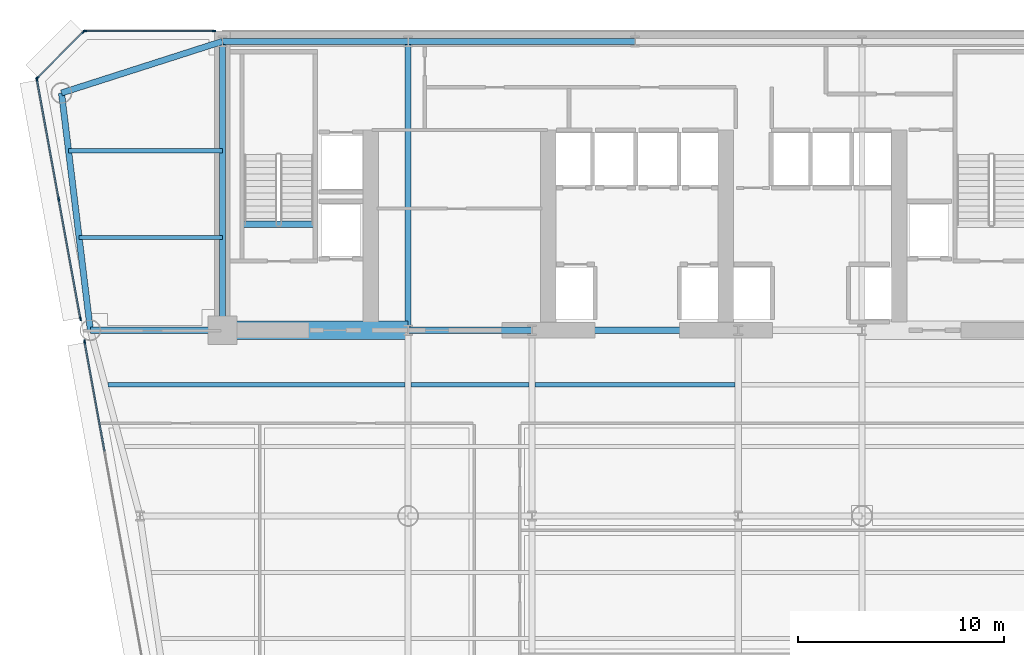
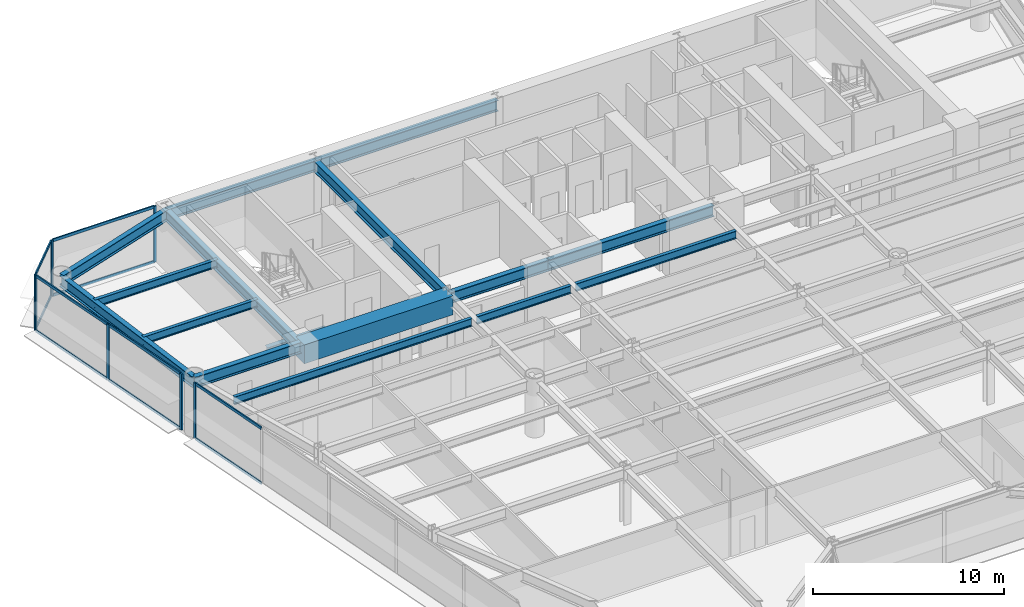
# One storey, part 5 of 14: 18 members, 16 beams, 4 elements without a shape of their own.
"""IFC4 building model written with IfcOpenShell, lengths in metres."""

import ifcopenshell
import ifcopenshell.guid

model = None  # the IFC model being written
_history = None  # IfcOwnerHistory: only IFC2X3 demands one
_inside = {}  # id of a spatial element -> (the spatial element, [elements in it])
_under = {}  # id of a project, library or spatial element -> (it, [spatial elements below it])
_declared = {}  # id of a project -> (the project, [libraries it declares])
_typed = {}  # id of a type object -> (the type object, [elements of that type])
_made_of = {}  # id of a material, layer set ... -> (it, [elements and type objects made of it])


def new_model(schema):
    """Start an empty IFC model of exactly this schema.

    Asked for "IFC4X3", IfcOpenShell would pick the latest addendum, in which some entities
    have other attributes; the version numbers below select the first issue.
    IFC2X3 requires an IfcOwnerHistory on every rooted entity: one is made here for all.
    """
    global model, _history
    if schema == "IFC4X3":
        model = ifcopenshell.file(schema_version=(4, 3, 0, 0))
    else:
        model = ifcopenshell.file(schema=schema)
    _inside.clear()
    _under.clear()
    _declared.clear()
    _typed.clear()
    _made_of.clear()
    _history = None
    if model.schema == "IFC2X3":
        org = make("IfcOrganization", Name="unknown")
        user = make(
            "IfcPersonAndOrganization",
            ThePerson=make("IfcPerson", FamilyName="unknown"),
            TheOrganization=org,
        )
        app = make(
            "IfcApplication",
            ApplicationDeveloper=org,
            Version="unknown",
            ApplicationFullName="unknown",
            ApplicationIdentifier="unknown",
        )
        _history = make(
            "IfcOwnerHistory",
            OwningUser=user,
            OwningApplication=app,
            ChangeAction="ADDED",
            CreationDate=0,
        )
    return model


def make(cls, **values):
    """One entity of the class cls with the attributes given. An attribute that is None is left unset."""
    return model.create_entity(
        cls, **{name: value for name, value in values.items() if value is not None}
    )


def rooted(cls, **values):
    """An entity with a GlobalId (a new one), such as an element, a storey or a relation."""
    return make(cls, GlobalId=ifcopenshell.guid.new(), OwnerHistory=_history, **values)


def si_unit(unit_type, name, prefix=None):
    """IfcSIUnit, for example si_unit("LENGTHUNIT", "METRE", prefix="MILLI")."""
    return make("IfcSIUnit", UnitType=unit_type, Prefix=prefix, Name=name)


def assignment(units):
    """IfcUnitAssignment: the units of a project."""
    return None if units is None else make("IfcUnitAssignment", Units=units)


def point(xyz):
    """IfcCartesianPoint."""
    return None if xyz is None else make("IfcCartesianPoint", Coordinates=xyz)


def direction(xyz):
    """IfcDirection."""
    return None if xyz is None else make("IfcDirection", DirectionRatios=xyz)


def frame(location, z_axis=None, x_axis=None):
    """IfcAxis2Placement3D, a coordinate frame: its origin and axes. An axis left out is left unset."""
    return make(
        "IfcAxis2Placement3D",
        Location=point(location),
        Axis=direction(z_axis),
        RefDirection=direction(x_axis),
    )


def frame_2d(location, x_axis=None):
    """IfcAxis2Placement2D, a coordinate frame in the plane: its origin and x axis."""
    return make(
        "IfcAxis2Placement2D", Location=point(location), RefDirection=direction(x_axis)
    )


def origin():
    """The frame at (0, 0, 0) with its axes left unset."""
    return frame((0.0, 0.0, 0.0))


def origin_2d():
    """The frame at (0, 0) in the plane with its x axis left unset."""
    return frame_2d((0.0, 0.0))


def place(relative_to, where):
    """IfcLocalPlacement: puts the frame where relative to a parent placement (None: the world)."""
    return make(
        "IfcLocalPlacement", PlacementRelTo=relative_to, RelativePlacement=where
    )


def context(
    kind, dimensions, precision=None, world=None, true_north=None, identifier=None
):
    """IfcGeometricRepresentationContext, for example the 3D "Model" context."""
    return make(
        "IfcGeometricRepresentationContext",
        ContextIdentifier=identifier,
        ContextType=kind,
        CoordinateSpaceDimension=dimensions,
        Precision=precision,
        WorldCoordinateSystem=world,
        TrueNorth=true_north,
    )


def subcontext(parent, identifier, kind, view, scale=None):
    """IfcGeometricRepresentationSubContext, for example "Body" below "Model"."""
    return make(
        "IfcGeometricRepresentationSubContext",
        ContextIdentifier=identifier,
        ContextType=kind,
        ParentContext=parent,
        TargetScale=scale,
        TargetView=view,
    )


def project(units=None, contexts=None):
    """IfcProject with its units and contexts."""
    return rooted(
        "IfcProject",
        Name="project",
        RepresentationContexts=contexts,
        UnitsInContext=assignment(units),
    )


def spatial(cls, under=None, at=None, **own):
    """A site, building, storey or space (cls), placed at a placement, below another one or the project."""
    s = rooted(cls, ObjectPlacement=at, **own)
    if under is not None:
        _under.setdefault(under.id(), (under, []))[1].append(s)
    return s


def profile(cls, at=None, kind="AREA", **sizes):
    """A parametric profile (cls). Its sizes go by their IFC names, for example OverallWidth=200.0."""
    return make(cls, ProfileType=kind, Position=at, **sizes)


def rectangle(**sizes):
    """IfcRectangleProfileDef."""
    return profile("IfcRectangleProfileDef", **sizes)


def i_section(**sizes):
    """IfcIShapeProfileDef."""
    return profile("IfcIShapeProfileDef", **sizes)


def extrude(swept, where, along, depth):
    """IfcExtrudedAreaSolid: the profile swept, set in the frame where, extruded along a direction by depth."""
    return make(
        "IfcExtrudedAreaSolid",
        SweptArea=swept,
        Position=where,
        ExtrudedDirection=direction(along),
        Depth=depth,
    )


def shape(context_of_items, identifier, shape_type, items):
    """IfcShapeRepresentation: the items that make up one representation, for example the "Body"."""
    return make(
        "IfcShapeRepresentation",
        ContextOfItems=context_of_items,
        RepresentationIdentifier=identifier,
        RepresentationType=shape_type,
        Items=items,
    )


def source(mapping_origin, context_of_items, identifier, shape_type, items):
    """IfcRepresentationMap: a shape defined once, which mapped items show again and again."""
    return make(
        "IfcRepresentationMap",
        MappingOrigin=mapping_origin,
        MappedRepresentation=shape(context_of_items, identifier, shape_type, items),
    )


def transform(
    local_origin,
    x_axis=None,
    y_axis=None,
    z_axis=None,
    scale=None,
    scale2=None,
    scale3=None,
    uniform=True,
):
    """IfcCartesianTransformationOperator3D, or its non-uniform kind. x_axis, y_axis, z_axis: its Axis1, 2, 3."""
    if uniform:
        return make(
            "IfcCartesianTransformationOperator3D",
            Axis1=direction(x_axis),
            Axis2=direction(y_axis),
            LocalOrigin=point(local_origin),
            Scale=scale,
            Axis3=direction(z_axis),
        )
    return make(
        "IfcCartesianTransformationOperator3DnonUniform",
        Axis1=direction(x_axis),
        Axis2=direction(y_axis),
        LocalOrigin=point(local_origin),
        Scale=scale,
        Axis3=direction(z_axis),
        Scale2=scale2,
        Scale3=scale3,
    )


def mapped(mapping_source, mapping_target):
    """IfcMappedItem: shows the shape of a source again, moved by a transform."""
    return make(
        "IfcMappedItem", MappingSource=mapping_source, MappingTarget=mapping_target
    )


def material(Name=None, Category=None):
    """IfcMaterial."""
    return make("IfcMaterial", Name=Name, Category=Category)


def layer(
    of_material, thickness, ventilated=None, Name=None, Category=None, Priority=None
):
    """IfcMaterialLayer: one layer of a wall or slab, of a material (None: an air gap)."""
    return make(
        "IfcMaterialLayer",
        Material=of_material,
        LayerThickness=thickness,
        IsVentilated=ventilated,
        Name=Name,
        Category=Category,
        Priority=Priority,
    )


def layer_set(layers, Name=None):
    """IfcMaterialLayerSet."""
    return make("IfcMaterialLayerSet", MaterialLayers=layers, LayerSetName=Name)


def material_profile(
    of_material, cross_section, Name=None, Category=None, Priority=None
):
    """IfcMaterialProfile: a cross section and its material."""
    return make(
        "IfcMaterialProfile",
        Name=Name,
        Material=of_material,
        Profile=cross_section,
        Priority=Priority,
        Category=Category,
    )


def profile_set(profiles, Name=None, composite=None):
    """IfcMaterialProfileSet."""
    return make(
        "IfcMaterialProfileSet",
        Name=Name,
        MaterialProfiles=profiles,
        CompositeProfile=composite,
    )


def made_of(thing, what):
    """Note that an element or type object is made of a material, layer set ...; save() writes the relation."""
    if what is not None:
        _made_of.setdefault(what.id(), (what, []))[1].append(thing)
    return thing


def type_object(cls, material=None, **own):
    """A type object (cls), such as IfcWallType, which elements share."""
    return made_of(rooted(cls, **own), material)


def element(
    cls,
    number,
    at=None,
    inside=None,
    cuts=None,
    type_object=None,
    material=None,
    context=None,
    identifier="Body",
    shape_type=None,
    held_by="IfcProductDefinitionShape",
    body=None,
    shapes=None,
    **own,
):
    """One element of the class cls, such as IfcWall. Its Tag is "e" and its number.

    at: its placement. inside: the storey or other place that contains it. cuts: it is an
    opening in that element (IfcRelVoidsElement). A single representation is given by context,
    identifier, shape_type and body (its items); several are given by shapes. held_by: the class
    of the entity that holds the representations. save() writes the other relations.
    """
    e = rooted(cls, Tag="e%d" % number, ObjectPlacement=at, **own)
    if body is not None:
        shapes = [shape(context, identifier, shape_type, body)]
    if shapes is not None:
        e.Representation = make(held_by, Representations=shapes)
    if inside is not None:
        _inside.setdefault(inside.id(), (inside, []))[1].append(e)
    if cuts is not None:
        rooted(
            "IfcRelVoidsElement", RelatingBuildingElement=cuts, RelatedOpeningElement=e
        )
    if type_object is not None:
        _typed.setdefault(type_object.id(), (type_object, []))[1].append(e)
    return made_of(e, material)


def aggregate(whole, parts):
    """IfcRelAggregates: a whole, such as a stair, and the parts it consists of."""
    return rooted("IfcRelAggregates", RelatingObject=whole, RelatedObjects=parts)


def save(model, path):
    """Write the relations noted so far, then the file.

    IfcRelAggregates (storeys below a building ...), IfcRelContainedInSpatialStructure (elements
    in a storey), IfcRelDefinesByType, IfcRelAssociatesMaterial and IfcRelDeclares: one each for
    every whole, place, type object, material and project.
    """
    for whole, parts in _under.values():
        aggregate(whole, parts)
    for where, things in _inside.values():
        rooted(
            "IfcRelContainedInSpatialStructure",
            RelatedElements=things,
            RelatingStructure=where,
        )
    for kind, things in _typed.values():
        rooted("IfcRelDefinesByType", RelatedObjects=things, RelatingType=kind)
    for what, things in _made_of.values():
        rooted("IfcRelAssociatesMaterial", RelatedObjects=things, RelatingMaterial=what)
    for by, libraries in _declared.values():
        rooted("IfcRelDeclares", RelatingContext=by, RelatedDefinitions=libraries)
    model.write(path)


model = new_model("IFC4")

# Units and contexts
model_context = context("Model", 3, precision=1e-05, world=origin(), true_north=direction((0.0, 1.0)))
body_context = subcontext(model_context, "Body", "Model", "MODEL_VIEW")
ifc_project = project(units=[si_unit("LENGTHUNIT", "METRE"), si_unit("AREAUNIT", "SQUARE_METRE"), si_unit("VOLUMEUNIT", "CUBIC_METRE"), si_unit("PLANEANGLEUNIT", "RADIAN"), si_unit("MASSUNIT", "GRAM", prefix="KILO")], contexts=[model_context])

# Site, building, storey
site_placement = place(None, origin())
site = spatial("IfcSite", under=ifc_project, at=site_placement, CompositionType="ELEMENT")
building_placement = place(site_placement, origin())
building = spatial("IfcBuilding", under=site, at=building_placement, Name="Vaeldorn Concourse Tower", CompositionType="ELEMENT")
storey_placement = place(building_placement, frame((0.0, 0.0, 122.39990234375)))
storey = spatial("IfcBuildingStorey", under=building, at=storey_placement, Name="L31", CompositionType="ELEMENT", Elevation=122.39990234375)

# Beams
ifc_material_1 = material(Name="Concrete C60/75", Category="concrete")
ifc_material_profile_1 = material_profile(ifc_material_1, rectangle(XDim=0.89990234375, YDim=1.199951171875, at=origin_2d()), Name="RC 900x1200")
ifc_profile_set_1 = profile_set([ifc_material_profile_1], Name="Concrete C60/75")
beam_type_1 = type_object("IfcBeamType", Name="BM-CB-RC900", PredefinedType="BEAM", material=ifc_profile_set_1)
shared_shape_1 = source(origin(), body_context, "Body", "SweptSolid", [
    extrude(rectangle(XDim=0.89990234375, YDim=1.199951171875, at=origin_2d()), origin(), (0.0, 0.0, 1.0), 9.0),
])
beam_1_placement = place(storey_placement, frame((14.0, 36.5, 2.97998046875), z_axis=(1.0, 0.0, 0.0), x_axis=(0.0, 1.0, 0.0)))
element("IfcBeam", 1, at=beam_1_placement, inside=storey, type_object=beam_type_1, Name="Core Coupling Beam L31-1", PredefinedType="BEAM", context=body_context, shape_type="MappedRepresentation", body=[
    mapped(shared_shape_1, transform((0.0, 0.0, 0.0), scale=1.0)),
])
ifc_material_2 = material(Name="Steel S355", Category="steel")
ifc_material_profile_2 = material_profile(ifc_material_2, i_section(OverallWidth=0.300048828125, OverallDepth=0.340087890625, WebThickness=0.011962890625, FlangeThickness=0.021484375, FilletRadius=0.027099609375, at=origin_2d()), Name="HEB 340")
ifc_profile_set_2 = profile_set([ifc_material_profile_2], Name="Steel S355")
beam_type_2 = type_object("IfcBeamType", Name="BM-ST-TRIM", PredefinedType="BEAM", material=ifc_profile_set_2)
shared_shape_2 = source(origin(), body_context, "Body", "SweptSolid", [
    extrude(i_section(OverallWidth=0.300048828125, OverallDepth=0.340087890625, WebThickness=0.011962890625, FlangeThickness=0.021484375, FilletRadius=0.027099609375, at=origin_2d()), origin(), (0.0, 0.0, 1.0), 3.590087890625),
])
beam_2_placement = place(storey_placement, frame((14.929931640625, 41.639892578125, -0.389892578125), z_axis=(1.0, 0.0, 0.0), x_axis=(0.0, 1.0, 0.0)))
element("IfcBeam", 2, at=beam_2_placement, inside=storey, type_object=beam_type_2, Name="Stair Landing Trimmer Beam ST-1 L31", PredefinedType="BEAM", context=body_context, shape_type="MappedRepresentation", body=[
    mapped(shared_shape_2, transform((0.0, 0.0, 0.0), scale=1.0)),
])
ifc_material_profile_3 = material_profile(ifc_material_2, i_section(OverallWidth=0.199951171875, OverallDepth=0.5, WebThickness=0.01025390625, FlangeThickness=0.01611328125, FilletRadius=0.02099609375, at=origin_2d()), Name="IPE 500")
ifc_profile_set_3 = profile_set([ifc_material_profile_3], Name="Steel S355")
beam_type_3 = type_object("IfcBeamType", Name="BM-JS-IPE500", PredefinedType="JOIST", material=ifc_profile_set_3)
shared_shape_3 = source(origin(), body_context, "Body", "SweptSolid", [
    extrude(i_section(OverallWidth=0.199951171875, OverallDepth=0.5, WebThickness=0.01025390625, FlangeThickness=0.01611328125, FilletRadius=0.02099609375, at=origin_2d()), origin(), (0.0, 0.0, 1.0), 5.7001953125),
])
beam_3_placement = place(storey_placement, frame((23.14990234375, 33.860107421875, 3.330078125), z_axis=(1.0, 0.0, 0.0), x_axis=(0.0, 1.0, 0.0)))
element("IfcBeam", 3, at=beam_3_placement, inside=storey, type_object=beam_type_3, Name="Beam JS-L31-W2-338", PredefinedType="JOIST", context=body_context, shape_type="MappedRepresentation", body=[
    mapped(shared_shape_3, transform((0.0, 0.0, 0.0), scale=1.0)),
])
shared_shape_4 = source(origin(), body_context, "Body", "SweptSolid", [
    extrude(i_section(OverallWidth=0.199951171875, OverallDepth=0.5, WebThickness=0.01025390625, FlangeThickness=0.01611328125, FilletRadius=0.02099609375, at=origin_2d()), origin(), (0.0, 0.0, 1.0), 9.7001953125),
])
beam_4_placement = place(storey_placement, frame((29.14990234375, 33.860107421875, 3.330078125), z_axis=(1.0, 0.0, 0.0), x_axis=(0.0, 1.0, 0.0)))
element("IfcBeam", 4, at=beam_4_placement, inside=storey, type_object=beam_type_3, Name="Beam JS-L31-C-338", PredefinedType="JOIST", context=body_context, shape_type="MappedRepresentation", body=[
    mapped(shared_shape_4, transform((0.0, 0.0, 0.0), scale=1.0)),
])
shared_shape_5 = source(origin(), body_context, "Body", "SweptSolid", [
    extrude(i_section(OverallWidth=0.199951171875, OverallDepth=0.5, WebThickness=0.01025390625, FlangeThickness=0.01611328125, FilletRadius=0.02099609375, at=origin_2d()), origin(), (0.0, 0.0, 1.0), 14.39599609375),
])
beam_5_placement = place(storey_placement, frame((8.4541015625, 33.860107421875, 3.330078125), z_axis=(1.0, 0.0, 0.0), x_axis=(0.0, 1.0, 0.0)))
element("IfcBeam", 5, at=beam_5_placement, inside=storey, type_object=beam_type_3, Name="Beam JS-L31-W1-338", PredefinedType="JOIST", context=body_context, shape_type="MappedRepresentation", body=[
    mapped(shared_shape_5, transform((0.0, 0.0, 0.0), scale=1.0)),
])
shared_shape_6 = source(origin(), body_context, "Body", "SweptSolid", [
    extrude(i_section(OverallWidth=0.199951171875, OverallDepth=0.5, WebThickness=0.01025390625, FlangeThickness=0.01611328125, FilletRadius=0.02099609375, at=origin_2d()), origin(), (0.0, 0.0, 1.0), 6.94775390625),
])
beam_6_placement = place(storey_placement, frame((7.05224609375, 41.0, 3.330078125), z_axis=(1.0, 0.0, 0.0), x_axis=(0.0, 1.0, 0.0)))
element("IfcBeam", 6, at=beam_6_placement, inside=storey, type_object=beam_type_3, Name="Beam JS-L31-NW-410", PredefinedType="JOIST", context=body_context, shape_type="MappedRepresentation", body=[
    mapped(shared_shape_6, transform((0.0, 0.0, 0.0), scale=1.0)),
])
shared_shape_7 = source(origin(), body_context, "Body", "SweptSolid", [
    extrude(i_section(OverallWidth=0.199951171875, OverallDepth=0.5, WebThickness=0.01025390625, FlangeThickness=0.01611328125, FilletRadius=0.02099609375, at=origin_2d()), origin(), (0.0, 0.0, 1.0), 7.458984375),
])
beam_7_placement = place(storey_placement, frame((6.541015625, 45.199951171875, 3.330078125), z_axis=(1.0, 0.0, 0.0), x_axis=(0.0, 1.0, 0.0)))
element("IfcBeam", 7, at=beam_7_placement, inside=storey, type_object=beam_type_3, Name="Beam JS-L31-NW-452", PredefinedType="JOIST", context=body_context, shape_type="MappedRepresentation", body=[
    mapped(shared_shape_7, transform((0.0, 0.0, 0.0), scale=1.0)),
])
ifc_material_profile_4 = material_profile(ifc_material_2, i_section(OverallWidth=0.300048828125, OverallDepth=0.699951171875, WebThickness=0.01708984375, FlangeThickness=0.031982421875, FilletRadius=0.027099609375, at=origin_2d()), Name="HEB 700")
ifc_profile_set_4 = profile_set([ifc_material_profile_4], Name="Steel S355")
beam_type_4 = type_object("IfcBeamType", Name="BM-PG-HEB700", PredefinedType="BEAM", material=ifc_profile_set_4)
shared_shape_8 = source(origin(), body_context, "Body", "SweptSolid", [
    extrude(i_section(OverallWidth=0.300048828125, OverallDepth=0.699951171875, WebThickness=0.01708984375, FlangeThickness=0.031982421875, FilletRadius=0.027099609375, at=origin_2d()), origin(), (0.0, 0.0, 1.0), 6.0),
])
beam_8_placement = place(storey_placement, frame((23.0, 36.5, 3.22998046875), z_axis=(1.0, 0.0, 0.0), x_axis=(0.0, 1.0, 0.0)))
element("IfcBeam", 8, at=beam_8_placement, inside=storey, type_object=beam_type_4, Name="Beam BM-L31-C-FC2-C-FC3", PredefinedType="BEAM", context=body_context, shape_type="MappedRepresentation", body=[
    mapped(shared_shape_8, transform((0.0, 0.0, 0.0), scale=1.0)),
])
shared_shape_9 = source(origin(), body_context, "Body", "SweptSolid", [
    extrude(i_section(OverallWidth=0.300048828125, OverallDepth=0.699951171875, WebThickness=0.01708984375, FlangeThickness=0.031982421875, FilletRadius=0.027099609375, at=origin_2d()), origin(), (0.0, 0.0, 1.0), 10.0),
])
beam_9_placement = place(storey_placement, frame((29.0, 36.5, 3.22998046875), z_axis=(1.0, 0.0, 0.0), x_axis=(0.0, 1.0, 0.0)))
element("IfcBeam", 9, at=beam_9_placement, inside=storey, type_object=beam_type_4, Name="Beam BM-L31-C-FC3-C-FC4", PredefinedType="BEAM", context=body_context, shape_type="MappedRepresentation", body=[
    mapped(shared_shape_9, transform((0.0, 0.0, 0.0), scale=1.0)),
])
shared_shape_10 = source(origin(), body_context, "Body", "SweptSolid", [
    extrude(i_section(OverallWidth=0.300048828125, OverallDepth=0.699951171875, WebThickness=0.01708984375, FlangeThickness=0.031982421875, FilletRadius=0.027099609375, at=origin_2d()), origin(), (0.0, 0.0, 1.0), 9.0),
])
beam_10_placement = place(storey_placement, frame((14.0, 50.5, 3.22998046875), z_axis=(1.0, 0.0, 0.0), x_axis=(0.0, 1.0, 0.0)))
element("IfcBeam", 10, at=beam_10_placement, inside=storey, type_object=beam_type_4, Name="Beam BM-L31-C-HC1-C-HC2", PredefinedType="BEAM", context=body_context, shape_type="MappedRepresentation", body=[
    mapped(shared_shape_10, transform((0.0, 0.0, 0.0), scale=1.0)),
])
shared_shape_11 = source(origin(), body_context, "Body", "SweptSolid", [
    extrude(i_section(OverallWidth=0.300048828125, OverallDepth=0.699951171875, WebThickness=0.01708984375, FlangeThickness=0.031982421875, FilletRadius=0.027099609375, at=origin_2d()), origin(), (0.0, 0.0, 1.0), 11.0),
])
beam_11_placement = place(storey_placement, frame((23.0, 50.5, 3.22998046875), z_axis=(1.0, 0.0, 0.0), x_axis=(0.0, 1.0, 0.0)))
element("IfcBeam", 11, at=beam_11_placement, inside=storey, type_object=beam_type_4, Name="Beam BM-L31-C-HC2-C-HC3", PredefinedType="BEAM", context=body_context, shape_type="MappedRepresentation", body=[
    mapped(shared_shape_11, transform((0.0, 0.0, 0.0), scale=1.0)),
])
shared_shape_12 = source(origin(), body_context, "Body", "SweptSolid", [
    extrude(i_section(OverallWidth=0.300048828125, OverallDepth=0.699951171875, WebThickness=0.01708984375, FlangeThickness=0.031982421875, FilletRadius=0.027099609375, at=origin_2d()), origin(), (0.0, 0.0, 1.0), 14.0),
])
for number, where, z_axis, x_axis, name in (
    (12, (14.0, 36.5, 3.22998046875), (0.0, 1.0, 0.0), (-1.0, 0.0, 0.0), "Beam BM-L31-C-FC1-C-HC1"),
    (13, (23.0, 36.5, 3.22998046875), (0.0, 1.0, 0.0), (-1.0, 0.0, 0.0), "Beam BM-L31-C-FC2-C-HC2"),
):
    element("IfcBeam", number, at=place(storey_placement, frame(where, z_axis=z_axis, x_axis=x_axis)), inside=storey, type_object=beam_type_4, Name=name, PredefinedType="BEAM", context=body_context, shape_type="MappedRepresentation", body=[
        mapped(shared_shape_12, transform((0.0, 0.0, 0.0), scale=1.0)),
    ])
shared_shape_13 = source(origin(), body_context, "Body", "SweptSolid", [
    extrude(i_section(OverallWidth=0.300048828125, OverallDepth=0.699951171875, WebThickness=0.01708984375, FlangeThickness=0.031982421875, FilletRadius=0.027099609375, at=origin_2d()), origin(), (0.0, 0.0, 1.0), 8.19091796875),
])
beam_12_placement = place(storey_placement, frame((6.199951171875, 48.0, 3.22998046875), z_axis=(0.952282843383, 0.305216949396, 0.0), x_axis=(-0.305216949396, 0.952282843383, 0.0)))
element("IfcBeam", 14, at=beam_12_placement, inside=storey, type_object=beam_type_4, Name="Beam BM-L31-C-NW1-C-HC1", PredefinedType="BEAM", context=body_context, shape_type="MappedRepresentation", body=[
    mapped(shared_shape_13, transform((0.0, 0.0, 0.0), scale=1.0)),
])
shared_shape_14 = source(origin(), body_context, "Body", "SweptSolid", [
    extrude(i_section(OverallWidth=0.300048828125, OverallDepth=0.699951171875, WebThickness=0.01708984375, FlangeThickness=0.031982421875, FilletRadius=0.027099609375, at=origin_2d()), origin(), (0.0, 0.0, 1.0), 11.5849609375),
])
beam_13_placement = place(storey_placement, frame((6.199951171875, 48.0, 3.22998046875), z_axis=(0.120859382899, -0.992669637677, 0.0), x_axis=(0.992669637677, 0.120859382899, 0.0)))
element("IfcBeam", 15, at=beam_13_placement, inside=storey, type_object=beam_type_4, Name="Beam BM-L31-C-NW1-C-NW2", PredefinedType="BEAM", context=body_context, shape_type="MappedRepresentation", body=[
    mapped(shared_shape_14, transform((0.0, 0.0, 0.0), scale=1.0)),
])
shared_shape_15 = source(origin(), body_context, "Body", "SweptSolid", [
    extrude(i_section(OverallWidth=0.300048828125, OverallDepth=0.699951171875, WebThickness=0.01708984375, FlangeThickness=0.031982421875, FilletRadius=0.027099609375, at=origin_2d()), origin(), (0.0, 0.0, 1.0), 6.39990234375),
])
beam_14_placement = place(storey_placement, frame((7.60009765625, 36.5, 3.22998046875), z_axis=(1.0, 0.0, 0.0), x_axis=(0.0, 1.0, 0.0)))
element("IfcBeam", 16, at=beam_14_placement, inside=storey, type_object=beam_type_4, Name="Beam BM-L31-C-NW2-C-FC1", PredefinedType="BEAM", context=body_context, shape_type="MappedRepresentation", body=[
    mapped(shared_shape_15, transform((0.0, 0.0, 0.0), scale=1.0)),
])

# Curtain wall, members
ifc_material_3 = material(Name="Anodised Bronze Aluminium", Category="aluminium")
ifc_layer = layer(ifc_material_3, 0.199951171875)
ifc_layer_set = layer_set([ifc_layer], Name="Anodised Bronze Aluminium")
curtain_wall_type = type_object("IfcCurtainWallType", Name="CW-SYS-02", PredefinedType="NOTDEFINED", material=ifc_layer_set)
curtain_wall_1_placement = place(storey_placement, origin())
curtain_wall_1 = element("IfcCurtainWall", 17, at=curtain_wall_1_placement, inside=storey, type_object=curtain_wall_type, Name="Unitised Curtain Wall CW-L31-E10-1", PredefinedType="NOTDEFINED")
ifc_material_profile_5 = material_profile(ifc_material_3, rectangle(XDim=0.074951171875, YDim=0.179931640625, at=origin_2d()), Name="CWT 75x180")
ifc_profile_set_5 = profile_set([ifc_material_profile_5], Name="Anodised Bronze Aluminium")
member_type_1 = type_object("IfcMemberType", Name="CWT-BRONZE-180", PredefinedType="USERDEFINED", material=ifc_profile_set_5)
shared_shape_16 = source(origin(), body_context, "Body", "SweptSolid", [
    extrude(rectangle(XDim=0.074951171875, YDim=0.179931640625, at=origin_2d()), origin(), (0.0, 0.0, 1.0), 3.10302734375),
])
member_1_placement = place(storey_placement, frame((7.2470703125, 50.947021484375, 0.03759765625), z_axis=(-0.707106781187, -0.707106781187, 0.0), x_axis=(0.707106781187, -0.707106781187, 0.0)))
member_1 = element("IfcMember", 18, at=member_1_placement, type_object=member_type_1, Name="CW-02 transom 1.1", ObjectType="TRANSOM", PredefinedType="USERDEFINED", context=body_context, shape_type="MappedRepresentation", body=[
    mapped(shared_shape_16, transform((0.0, 0.0, 0.0), scale=1.0)),
])
member_2_placement = place(storey_placement, frame((7.2470703125, 50.947021484375, 3.54248046875), z_axis=(-0.707106781187, -0.707106781187, 0.0), x_axis=(0.707106781187, -0.707106781187, 0.0)))
member_2 = element("IfcMember", 19, at=member_2_placement, type_object=member_type_1, Name="CW-02 transom 1.2", ObjectType="TRANSOM", PredefinedType="USERDEFINED", context=body_context, shape_type="MappedRepresentation", body=[
    mapped(shared_shape_16, transform((0.0, 0.0, 0.0), scale=1.0)),
])

curtain_wall_2_placement = place(storey_placement, origin())
curtain_wall_2 = element("IfcCurtainWall", 20, at=curtain_wall_2_placement, inside=storey, type_object=curtain_wall_type, Name="Unitised Curtain Wall CW-L31-E09-2", PredefinedType="NOTDEFINED")
ifc_material_profile_6 = material_profile(ifc_material_3, rectangle(XDim=0.074951171875, YDim=0.18994140625, at=origin_2d()), Name="CWM 75x190")
ifc_profile_set_6 = profile_set([ifc_material_profile_6], Name="Anodised Bronze Aluminium")
member_type_2 = type_object("IfcMemberType", Name="CWM-BRONZE-190", PredefinedType="MULLION", material=ifc_profile_set_6)
shared_shape_17 = source(origin(), body_context, "Body", "SweptSolid", [
    extrude(rectangle(XDim=0.074951171875, YDim=0.18994140625, at=origin_2d()), origin(), (0.0, 0.0, 1.0), 3.580078125),
])
member_3_placement = place(storey_placement, frame((13.592529296875, 51.0, 0.0), z_axis=(0.0, 0.0, 1.0), x_axis=(0.0, -1.0, 0.0)))
member_3 = element("IfcMember", 21, at=member_3_placement, type_object=member_type_2, Name="CW-02 mullion 1", PredefinedType="MULLION", context=body_context, shape_type="MappedRepresentation", body=[
    mapped(shared_shape_17, transform((0.0, 0.0, 0.0), scale=1.0)),
])
member_4_placement = place(storey_placement, frame((7.33740234375, 51.0, 0.0), z_axis=(0.0, 0.0, 1.0), x_axis=(0.0, -1.0, 0.0)))
member_4 = element("IfcMember", 22, at=member_4_placement, type_object=member_type_2, Name="CW-02 mullion 2", PredefinedType="MULLION", context=body_context, shape_type="MappedRepresentation", body=[
    mapped(shared_shape_17, transform((0.0, 0.0, 0.0), scale=1.0)),
])

# Member
member_5_placement = place(storey_placement, frame((7.2734375, 50.973388671875, 0.0), z_axis=(0.0, 0.0, 1.0), x_axis=(0.707106781187, -0.707106781187, 0.0)))
member_5 = element("IfcMember", 23, at=member_5_placement, type_object=member_type_2, Name="CW-02 mullion 1", PredefinedType="MULLION", context=body_context, shape_type="MappedRepresentation", body=[
    mapped(shared_shape_17, transform((0.0, 0.0, 0.0), scale=1.0)),
])

member_6_placement = place(storey_placement, frame((5.026611328125, 48.7265625, 0.0), z_axis=(0.0, 0.0, 1.0), x_axis=(0.707106781187, -0.707106781187, 0.0)))
member_6 = element("IfcMember", 24, at=member_6_placement, type_object=member_type_2, Name="CW-02 mullion 2", PredefinedType="MULLION", context=body_context, shape_type="MappedRepresentation", body=[
    mapped(shared_shape_17, transform((0.0, 0.0, 0.0), scale=1.0)),
])

aggregate(curtain_wall_1, [member_5, member_6, member_1, member_2])

# Curtain wall, members
curtain_wall_3_placement = place(storey_placement, origin())
curtain_wall_3 = element("IfcCurtainWall", 25, at=curtain_wall_3_placement, inside=storey, type_object=curtain_wall_type, Name="Unitised Curtain Wall CW-L31-E11-1", PredefinedType="NOTDEFINED")
member_7_placement = place(storey_placement, frame((5.006591796875, 48.6630859375, 0.0), z_axis=(0.0, 0.0, 1.0), x_axis=(0.983859532524, 0.178942505462, 0.0)))
member_7 = element("IfcMember", 26, at=member_7_placement, type_object=member_type_2, Name="CW-02 mullion 1", PredefinedType="MULLION", context=body_context, shape_type="MappedRepresentation", body=[
    mapped(shared_shape_17, transform((0.0, 0.0, 0.0), scale=1.0)),
])
member_8_placement = place(storey_placement, frame((6.062255859375, 42.85888671875, 0.0), z_axis=(0.0, 0.0, 1.0), x_axis=(0.983859532524, 0.178942505462, 0.0)))
member_8 = element("IfcMember", 27, at=member_8_placement, type_object=member_type_2, Name="CW-02 mullion 2", PredefinedType="MULLION", context=body_context, shape_type="MappedRepresentation", body=[
    mapped(shared_shape_17, transform((0.0, 0.0, 0.0), scale=1.0)),
])
member_9_placement = place(storey_placement, frame((7.117919921875, 37.054931640625, 0.0), z_axis=(0.0, 0.0, 1.0), x_axis=(0.983859532524, 0.178942505462, 0.0)))
member_9 = element("IfcMember", 28, at=member_9_placement, type_object=member_type_2, Name="CW-02 mullion 3", PredefinedType="MULLION", context=body_context, shape_type="MappedRepresentation", body=[
    mapped(shared_shape_17, transform((0.0, 0.0, 0.0), scale=1.0)),
])

# Curtain wall, member
curtain_wall_4_placement = place(storey_placement, origin())
curtain_wall_4 = element("IfcCurtainWall", 29, at=curtain_wall_4_placement, inside=storey, type_object=curtain_wall_type, Name="Unitised Curtain Wall CW-L31-E11-2", PredefinedType="NOTDEFINED")
member_10_placement = place(storey_placement, frame((7.31982421875, 35.945068359375, 0.0), z_axis=(0.0, 0.0, 1.0), x_axis=(0.983859071278, 0.178945041465, 0.0)))
member_10 = element("IfcMember", 30, at=member_10_placement, type_object=member_type_2, Name="CW-02 mullion 1", PredefinedType="MULLION", context=body_context, shape_type="MappedRepresentation", body=[
    mapped(shared_shape_17, transform((0.0, 0.0, 0.0), scale=1.0)),
])

# Member
shared_shape_18 = source(origin(), body_context, "Body", "SweptSolid", [
    extrude(rectangle(XDim=0.074951171875, YDim=0.179931640625, at=origin_2d()), origin(), (0.0, 0.0, 1.0), 6.179931640625),
])
member_11_placement = place(storey_placement, frame((13.554931640625, 51.0, 0.03759765625), z_axis=(-1.0, 0.0, 0.0), x_axis=(0.0, -1.0, 0.0)))
member_11 = element("IfcMember", 31, at=member_11_placement, type_object=member_type_1, Name="CW-02 transom 1.1", ObjectType="TRANSOM", PredefinedType="USERDEFINED", context=body_context, shape_type="MappedRepresentation", body=[
    mapped(shared_shape_18, transform((0.0, 0.0, 0.0), scale=1.0)),
])

member_12_placement = place(storey_placement, frame((13.554931640625, 51.0, 3.54248046875), z_axis=(-1.0, 0.0, 0.0), x_axis=(0.0, -1.0, 0.0)))
member_12 = element("IfcMember", 32, at=member_12_placement, type_object=member_type_1, Name="CW-02 transom 1.2", ObjectType="TRANSOM", PredefinedType="USERDEFINED", context=body_context, shape_type="MappedRepresentation", body=[
    mapped(shared_shape_18, transform((0.0, 0.0, 0.0), scale=1.0)),
])

aggregate(curtain_wall_2, [member_3, member_4, member_11, member_12])

shared_shape_19 = source(origin(), body_context, "Body", "SweptSolid", [
    extrude(rectangle(XDim=0.074951171875, YDim=0.179931640625, at=origin_2d()), origin(), (0.0, 0.0, 1.0), 5.82421875),
])
member_13_placement = place(storey_placement, frame((5.013427734375, 48.626220703125, 0.03759765625), z_axis=(0.178948147237, -0.983858506392, 0.0), x_axis=(0.983858506392, 0.178948147237, 0.0)))
member_13 = element("IfcMember", 33, at=member_13_placement, type_object=member_type_1, Name="CW-02 transom 1.1", ObjectType="TRANSOM", PredefinedType="USERDEFINED", context=body_context, shape_type="MappedRepresentation", body=[
    mapped(shared_shape_19, transform((0.0, 0.0, 0.0), scale=1.0)),
])

member_14_placement = place(storey_placement, frame((5.013427734375, 48.626220703125, 3.54248046875), z_axis=(0.178948147237, -0.983858506392, 0.0), x_axis=(0.983858506392, 0.178948147237, 0.0)))
member_14 = element("IfcMember", 34, at=member_14_placement, type_object=member_type_1, Name="CW-02 transom 1.2", ObjectType="TRANSOM", PredefinedType="USERDEFINED", context=body_context, shape_type="MappedRepresentation", body=[
    mapped(shared_shape_19, transform((0.0, 0.0, 0.0), scale=1.0)),
])

member_15_placement = place(storey_placement, frame((6.069091796875, 42.822021484375, 0.03759765625), z_axis=(0.178948147237, -0.983858506392, 0.0), x_axis=(0.983858506392, 0.178948147237, 0.0)))
member_15 = element("IfcMember", 35, at=member_15_placement, type_object=member_type_1, Name="CW-02 transom 2.1", ObjectType="TRANSOM", PredefinedType="USERDEFINED", context=body_context, shape_type="MappedRepresentation", body=[
    mapped(shared_shape_19, transform((0.0, 0.0, 0.0), scale=1.0)),
])

member_16_placement = place(storey_placement, frame((6.069091796875, 42.822021484375, 3.54248046875), z_axis=(0.178948147237, -0.983858506392, 0.0), x_axis=(0.983858506392, 0.178948147237, 0.0)))
member_16 = element("IfcMember", 36, at=member_16_placement, type_object=member_type_1, Name="CW-02 transom 2.2", ObjectType="TRANSOM", PredefinedType="USERDEFINED", context=body_context, shape_type="MappedRepresentation", body=[
    mapped(shared_shape_19, transform((0.0, 0.0, 0.0), scale=1.0)),
])

aggregate(curtain_wall_3, [member_7, member_8, member_9, member_13, member_14, member_15, member_16])

shared_shape_20 = source(origin(), body_context, "Body", "SweptSolid", [
    extrude(rectangle(XDim=0.074951171875, YDim=0.179931640625, at=origin_2d()), origin(), (0.0, 0.0, 1.0), 5.350341796875),
])
member_17_placement = place(storey_placement, frame((7.326416015625, 35.908203125, 0.03759765625), z_axis=(0.178965748598, -0.983855304823, 0.0), x_axis=(0.983855304823, 0.178965748598, 0.0)))
member_17 = element("IfcMember", 37, at=member_17_placement, type_object=member_type_1, Name="CW-02 transom 1.1", ObjectType="TRANSOM", PredefinedType="USERDEFINED", context=body_context, shape_type="MappedRepresentation", body=[
    mapped(shared_shape_20, transform((0.0, 0.0, 0.0), scale=1.0)),
])

member_18_placement = place(storey_placement, frame((7.326416015625, 35.908203125, 3.54248046875), z_axis=(0.178965748598, -0.983855304823, 0.0), x_axis=(0.983855304823, 0.178965748598, 0.0)))
member_18 = element("IfcMember", 38, at=member_18_placement, type_object=member_type_1, Name="CW-02 transom 1.2", ObjectType="TRANSOM", PredefinedType="USERDEFINED", context=body_context, shape_type="MappedRepresentation", body=[
    mapped(shared_shape_20, transform((0.0, 0.0, 0.0), scale=1.0)),
])

aggregate(curtain_wall_4, [member_10, member_17, member_18])

save(model, "model.ifc")
